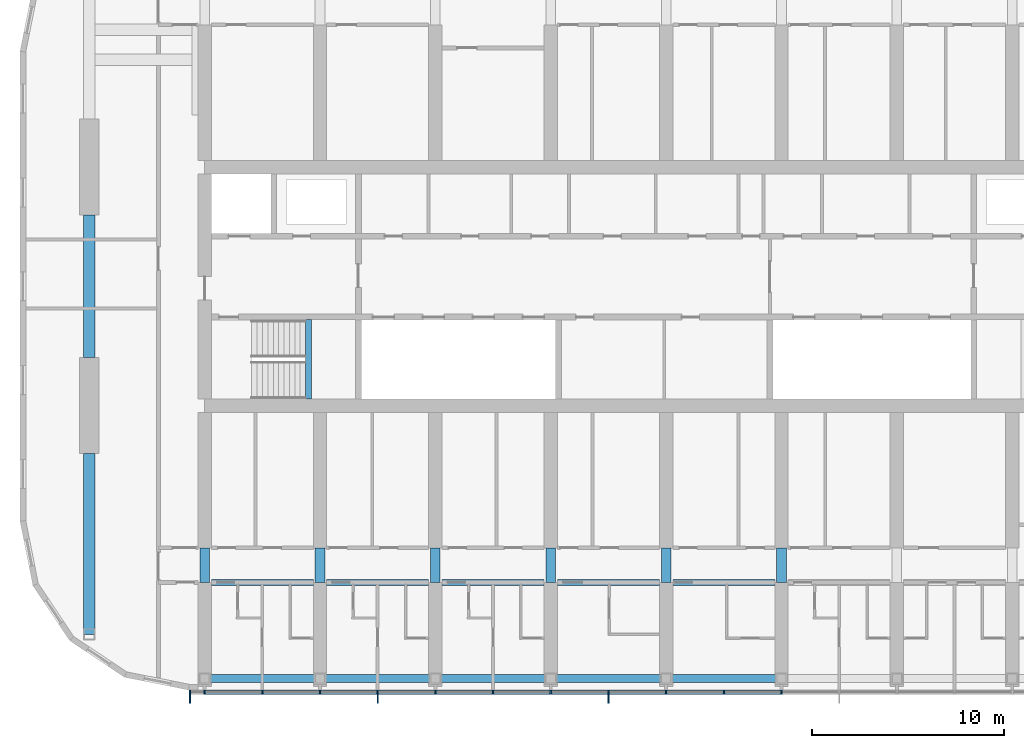
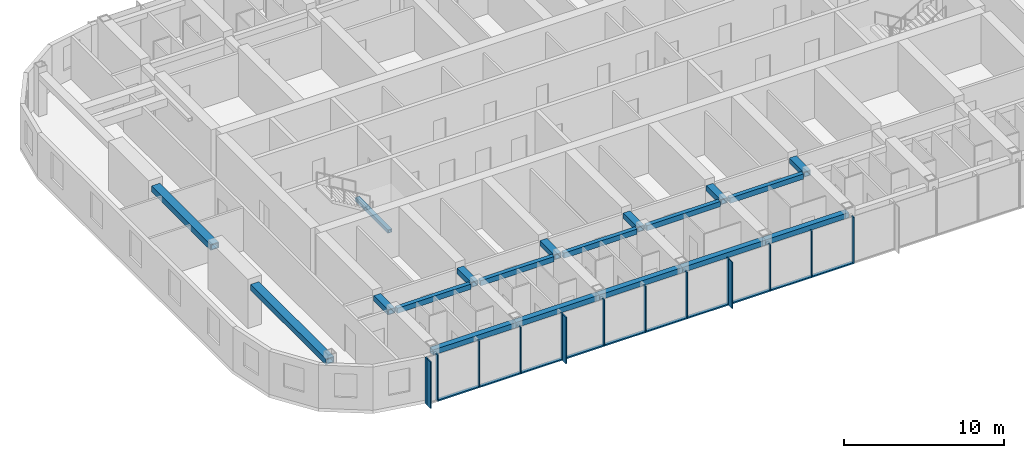
# One storey, part 2 of 24: 25 members, 19 beams, 1 element without a shape of its own.
"""IFC4 building model written with IfcOpenShell, lengths in metres."""

from ifc_helpers import new_model, si_unit, direction, frame, origin, origin_2d, place, context, subcontext, project, spatial, rectangle, hollow_rectangle, extrude, material, material_profile, profile_set, type_object, element, aggregate, save


model = new_model("IFC4")

# Units and contexts
model_context = context("Model", 3, precision=1e-05, world=origin(), true_north=direction((0.0, 1.0)))
body_context = subcontext(model_context, "Body", "Model", "MODEL_VIEW")
ifc_project = project(units=[si_unit("LENGTHUNIT", "METRE"), si_unit("AREAUNIT", "SQUARE_METRE"), si_unit("VOLUMEUNIT", "CUBIC_METRE"), si_unit("PLANEANGLEUNIT", "RADIAN"), si_unit("MASSUNIT", "GRAM", prefix="KILO")], contexts=[model_context])

# Site, building, storey
site_placement = place(None, origin())
site = spatial("IfcSite", under=ifc_project, at=site_placement, CompositionType="ELEMENT")
building_placement = place(site_placement, origin())
building = spatial("IfcBuilding", under=site, at=building_placement, Name="Orbita Commons", CompositionType="ELEMENT")
storey_placement = place(building_placement, frame((0.0, 0.0, 242.800048828125)))
storey = spatial("IfcBuildingStorey", under=building, at=storey_placement, Name="L60", CompositionType="ELEMENT", Elevation=242.800048828125)

# Curtain wall, members
ifc_material_1 = material(Name="Anodised aluminium frame, pale silver", Category="aluminium")
curtain_wall_type = type_object("IfcCurtainWallType", Name="Unitised curtain wall CW-U, full-height vision", PredefinedType="NOTDEFINED", material=ifc_material_1)
curtain_wall_placement = place(storey_placement, origin())
curtain_wall = element("IfcCurtainWall", 1, at=curtain_wall_placement, inside=storey, type_object=curtain_wall_type, Name="Curtain wall south L60", PredefinedType="NOTDEFINED")
ifc_material_2 = material(Name="Anodised aluminium, pale silver", Category="aluminium")
ifc_material_profile_1 = material_profile(ifc_material_2, rectangle(XDim=0.080078125, YDim=0.219970703125, at=origin_2d()), Name="AL 80x220")
ifc_profile_set_1 = profile_set([ifc_material_profile_1], Name="Anodised aluminium, pale silver")
member_type_1 = type_object("IfcMemberType", Name="Curtain wall mullion 80x220", PredefinedType="MULLION", material=ifc_profile_set_1)
member_1_placement = place(storey_placement, frame((17.239990234375, 10.889892578125, -0.25), z_axis=(0.0, 0.0, 1.0), x_axis=(1.0, 0.0, 0.0)))
member_1 = element("IfcMember", 2, at=member_1_placement, type_object=member_type_1, Name="Mullion 1 CW-L60-S", PredefinedType="MULLION", context=body_context, shape_type="SweptSolid", body=[
    extrude(rectangle(XDim=0.080078125, YDim=0.219970703125, at=origin_2d()), origin(), (0.0, 0.0, 1.0), 3.550048828125),
])
member_2_placement = place(storey_placement, frame((18.0, 10.889892578125, -0.25), z_axis=(0.0, 0.0, 1.0), x_axis=(1.0, 0.0, 0.0)))
member_2 = element("IfcMember", 3, at=member_2_placement, type_object=member_type_1, Name="Mullion 2 CW-L60-S", PredefinedType="MULLION", context=body_context, shape_type="SweptSolid", body=[
    extrude(rectangle(XDim=0.080078125, YDim=0.219970703125, at=origin_2d()), origin(), (0.0, 0.0, 1.0), 3.550048828125),
])
member_3_placement = place(storey_placement, frame((21.0, 10.889892578125, -0.25), z_axis=(0.0, 0.0, 1.0), x_axis=(1.0, 0.0, 0.0)))
member_3 = element("IfcMember", 4, at=member_3_placement, type_object=member_type_1, Name="Mullion 3 CW-L60-S", PredefinedType="MULLION", context=body_context, shape_type="SweptSolid", body=[
    extrude(rectangle(XDim=0.080078125, YDim=0.219970703125, at=origin_2d()), origin(), (0.0, 0.0, 1.0), 3.550048828125),
])
member_4_placement = place(storey_placement, frame((24.0, 10.889892578125, -0.25), z_axis=(0.0, 0.0, 1.0), x_axis=(1.0, 0.0, 0.0)))
member_4 = element("IfcMember", 5, at=member_4_placement, type_object=member_type_1, Name="Mullion 4 CW-L60-S", PredefinedType="MULLION", context=body_context, shape_type="SweptSolid", body=[
    extrude(rectangle(XDim=0.080078125, YDim=0.219970703125, at=origin_2d()), origin(), (0.0, 0.0, 1.0), 3.550048828125),
])
member_5_placement = place(storey_placement, frame((27.0, 10.889892578125, -0.25), z_axis=(0.0, 0.0, 1.0), x_axis=(1.0, 0.0, 0.0)))
member_5 = element("IfcMember", 6, at=member_5_placement, type_object=member_type_1, Name="Mullion 5 CW-L60-S", PredefinedType="MULLION", context=body_context, shape_type="SweptSolid", body=[
    extrude(rectangle(XDim=0.080078125, YDim=0.219970703125, at=origin_2d()), origin(), (0.0, 0.0, 1.0), 3.550048828125),
])
member_6_placement = place(storey_placement, frame((30.0, 10.889892578125, -0.25), z_axis=(0.0, 0.0, 1.0), x_axis=(1.0, 0.0, 0.0)))
member_6 = element("IfcMember", 7, at=member_6_placement, type_object=member_type_1, Name="Mullion 6 CW-L60-S", PredefinedType="MULLION", context=body_context, shape_type="SweptSolid", body=[
    extrude(rectangle(XDim=0.080078125, YDim=0.219970703125, at=origin_2d()), origin(), (0.0, 0.0, 1.0), 3.550048828125),
])
member_7_placement = place(storey_placement, frame((33.0, 10.889892578125, -0.25), z_axis=(0.0, 0.0, 1.0), x_axis=(1.0, 0.0, 0.0)))
member_7 = element("IfcMember", 8, at=member_7_placement, type_object=member_type_1, Name="Mullion 7 CW-L60-S", PredefinedType="MULLION", context=body_context, shape_type="SweptSolid", body=[
    extrude(rectangle(XDim=0.080078125, YDim=0.219970703125, at=origin_2d()), origin(), (0.0, 0.0, 1.0), 3.550048828125),
])
member_8_placement = place(storey_placement, frame((36.0, 10.889892578125, -0.25), z_axis=(0.0, 0.0, 1.0), x_axis=(1.0, 0.0, 0.0)))
member_8 = element("IfcMember", 9, at=member_8_placement, type_object=member_type_1, Name="Mullion 8 CW-L60-S", PredefinedType="MULLION", context=body_context, shape_type="SweptSolid", body=[
    extrude(rectangle(XDim=0.080078125, YDim=0.219970703125, at=origin_2d()), origin(), (0.0, 0.0, 1.0), 3.550048828125),
])
member_9_placement = place(storey_placement, frame((39.0, 10.889892578125, -0.25), z_axis=(0.0, 0.0, 1.0), x_axis=(1.0, 0.0, 0.0)))
member_9 = element("IfcMember", 10, at=member_9_placement, type_object=member_type_1, Name="Mullion 9 CW-L60-S", PredefinedType="MULLION", context=body_context, shape_type="SweptSolid", body=[
    extrude(rectangle(XDim=0.080078125, YDim=0.219970703125, at=origin_2d()), origin(), (0.0, 0.0, 1.0), 3.550048828125),
])
member_10_placement = place(storey_placement, frame((42.0, 10.889892578125, -0.25), z_axis=(0.0, 0.0, 1.0), x_axis=(1.0, 0.0, 0.0)))
member_10 = element("IfcMember", 11, at=member_10_placement, type_object=member_type_1, Name="Mullion 10 CW-L60-S", PredefinedType="MULLION", context=body_context, shape_type="SweptSolid", body=[
    extrude(rectangle(XDim=0.080078125, YDim=0.219970703125, at=origin_2d()), origin(), (0.0, 0.0, 1.0), 3.550048828125),
])
member_11_placement = place(storey_placement, frame((45.0, 10.889892578125, -0.25), z_axis=(0.0, 0.0, 1.0), x_axis=(1.0, 0.0, 0.0)))
member_11 = element("IfcMember", 12, at=member_11_placement, type_object=member_type_1, Name="Mullion 11 CW-L60-S", PredefinedType="MULLION", context=body_context, shape_type="SweptSolid", body=[
    extrude(rectangle(XDim=0.080078125, YDim=0.219970703125, at=origin_2d()), origin(), (0.0, 0.0, 1.0), 3.550048828125),
])
member_12_placement = place(storey_placement, frame((48.0, 10.889892578125, -0.25), z_axis=(0.0, 0.0, 1.0), x_axis=(1.0, 0.0, 0.0)))
member_12 = element("IfcMember", 13, at=member_12_placement, type_object=member_type_1, Name="Mullion 12 CW-L60-S", PredefinedType="MULLION", context=body_context, shape_type="SweptSolid", body=[
    extrude(rectangle(XDim=0.080078125, YDim=0.219970703125, at=origin_2d()), origin(), (0.0, 0.0, 1.0), 3.550048828125),
])
ifc_material_3 = material(Name="Anodised aluminium, pale silver", Category="aluminium")
ifc_material_profile_2 = material_profile(ifc_material_3, rectangle(XDim=0.219970703125, YDim=0.10009765625, at=origin_2d()), Name="AL 220x100")
ifc_profile_set_2 = profile_set([ifc_material_profile_2], Name="Anodised aluminium, pale silver")
member_type_2 = type_object("IfcMemberType", Name="Curtain wall stack transom 220x100", PredefinedType="USERDEFINED", material=ifc_profile_set_2)
member_13_placement = place(storey_placement, frame((18.0400390625, 10.889892578125, -0.199951171875), z_axis=(1.0, 0.0, 0.0), x_axis=(0.0, 1.0, 0.0)))
member_13 = element("IfcMember", 14, at=member_13_placement, type_object=member_type_2, Name="Transom 2.1 CW-L60-S", ObjectType="TRANSOM", PredefinedType="USERDEFINED", context=body_context, shape_type="SweptSolid", body=[
    extrude(rectangle(XDim=0.219970703125, YDim=0.10009765625, at=origin_2d()), origin(), (0.0, 0.0, 1.0), 2.919921875),
])
member_14_placement = place(storey_placement, frame((21.0400390625, 10.889892578125, -0.199951171875), z_axis=(1.0, 0.0, 0.0), x_axis=(0.0, 1.0, 0.0)))
member_14 = element("IfcMember", 15, at=member_14_placement, type_object=member_type_2, Name="Transom 3.1 CW-L60-S", ObjectType="TRANSOM", PredefinedType="USERDEFINED", context=body_context, shape_type="SweptSolid", body=[
    extrude(rectangle(XDim=0.219970703125, YDim=0.10009765625, at=origin_2d()), origin(), (0.0, 0.0, 1.0), 2.919921875),
])
member_15_placement = place(storey_placement, frame((24.0400390625, 10.889892578125, -0.199951171875), z_axis=(1.0, 0.0, 0.0), x_axis=(0.0, 1.0, 0.0)))
member_15 = element("IfcMember", 16, at=member_15_placement, type_object=member_type_2, Name="Transom 4.1 CW-L60-S", ObjectType="TRANSOM", PredefinedType="USERDEFINED", context=body_context, shape_type="SweptSolid", body=[
    extrude(rectangle(XDim=0.219970703125, YDim=0.10009765625, at=origin_2d()), origin(), (0.0, 0.0, 1.0), 2.919921875),
])
member_16_placement = place(storey_placement, frame((27.0400390625, 10.889892578125, -0.199951171875), z_axis=(1.0, 0.0, 0.0), x_axis=(0.0, 1.0, 0.0)))
member_16 = element("IfcMember", 17, at=member_16_placement, type_object=member_type_2, Name="Transom 5.1 CW-L60-S", ObjectType="TRANSOM", PredefinedType="USERDEFINED", context=body_context, shape_type="SweptSolid", body=[
    extrude(rectangle(XDim=0.219970703125, YDim=0.10009765625, at=origin_2d()), origin(), (0.0, 0.0, 1.0), 2.919921875),
])
member_17_placement = place(storey_placement, frame((30.0400390625, 10.889892578125, -0.199951171875), z_axis=(1.0, 0.0, 0.0), x_axis=(0.0, 1.0, 0.0)))
member_17 = element("IfcMember", 18, at=member_17_placement, type_object=member_type_2, Name="Transom 6.1 CW-L60-S", ObjectType="TRANSOM", PredefinedType="USERDEFINED", context=body_context, shape_type="SweptSolid", body=[
    extrude(rectangle(XDim=0.219970703125, YDim=0.10009765625, at=origin_2d()), origin(), (0.0, 0.0, 1.0), 2.919921875),
])
member_18_placement = place(storey_placement, frame((33.0400390625, 10.889892578125, -0.199951171875), z_axis=(1.0, 0.0, 0.0), x_axis=(0.0, 1.0, 0.0)))
member_18 = element("IfcMember", 19, at=member_18_placement, type_object=member_type_2, Name="Transom 7.1 CW-L60-S", ObjectType="TRANSOM", PredefinedType="USERDEFINED", context=body_context, shape_type="SweptSolid", body=[
    extrude(rectangle(XDim=0.219970703125, YDim=0.10009765625, at=origin_2d()), origin(), (0.0, 0.0, 1.0), 2.919921875),
])
member_19_placement = place(storey_placement, frame((36.0400390625, 10.889892578125, -0.199951171875), z_axis=(1.0, 0.0, 0.0), x_axis=(0.0, 1.0, 0.0)))
member_19 = element("IfcMember", 20, at=member_19_placement, type_object=member_type_2, Name="Transom 8.1 CW-L60-S", ObjectType="TRANSOM", PredefinedType="USERDEFINED", context=body_context, shape_type="SweptSolid", body=[
    extrude(rectangle(XDim=0.219970703125, YDim=0.10009765625, at=origin_2d()), origin(), (0.0, 0.0, 1.0), 2.919921875),
])
member_20_placement = place(storey_placement, frame((39.0400390625, 10.889892578125, -0.199951171875), z_axis=(1.0, 0.0, 0.0), x_axis=(0.0, 1.0, 0.0)))
member_20 = element("IfcMember", 21, at=member_20_placement, type_object=member_type_2, Name="Transom 9.1 CW-L60-S", ObjectType="TRANSOM", PredefinedType="USERDEFINED", context=body_context, shape_type="SweptSolid", body=[
    extrude(rectangle(XDim=0.219970703125, YDim=0.10009765625, at=origin_2d()), origin(), (0.0, 0.0, 1.0), 2.919921875),
])
member_21_placement = place(storey_placement, frame((42.0400390625, 10.889892578125, -0.199951171875), z_axis=(1.0, 0.0, 0.0), x_axis=(0.0, 1.0, 0.0)))
member_21 = element("IfcMember", 22, at=member_21_placement, type_object=member_type_2, Name="Transom 10.1 CW-L60-S", ObjectType="TRANSOM", PredefinedType="USERDEFINED", context=body_context, shape_type="SweptSolid", body=[
    extrude(rectangle(XDim=0.219970703125, YDim=0.10009765625, at=origin_2d()), origin(), (0.0, 0.0, 1.0), 2.919921875),
])
member_22_placement = place(storey_placement, frame((45.0400390625, 10.889892578125, -0.199951171875), z_axis=(1.0, 0.0, 0.0), x_axis=(0.0, 1.0, 0.0)))
member_22 = element("IfcMember", 23, at=member_22_placement, type_object=member_type_2, Name="Transom 11.1 CW-L60-S", ObjectType="TRANSOM", PredefinedType="USERDEFINED", context=body_context, shape_type="SweptSolid", body=[
    extrude(rectangle(XDim=0.219970703125, YDim=0.10009765625, at=origin_2d()), origin(), (0.0, 0.0, 1.0), 2.919921875),
])

# Beams
ifc_material_4 = material(Name="Steel ASTM A572 Gr 50 welded plate", Category="steel")
ifc_material_profile_3 = material_profile(ifc_material_4, hollow_rectangle(XDim=0.300048828125, YDim=0.25, WallThickness=0.02490234375, at=origin_2d()), Name="BOX 250x300x25")
ifc_profile_set_3 = profile_set([ifc_material_profile_3], Name="Steel ASTM A572 Gr 50 welded plate")
beam_type_1 = type_object("IfcBeamType", Name="Stair landing beam steel BOX 250x300x25", PredefinedType="BEAM", material=ifc_profile_set_3)
beam_1_placement = place(storey_placement, frame((23.39990234375, 26.135009765625, 1.550048828125), z_axis=(0.0, 1.0, 0.0), x_axis=(-1.0, 0.0, 0.0)))
element("IfcBeam", 24, at=beam_1_placement, inside=storey, type_object=beam_type_1, Name="Stair S1 landing beam L60 1", PredefinedType="BEAM", context=body_context, shape_type="SweptSolid", body=[
    extrude(hollow_rectangle(XDim=0.300048828125, YDim=0.25, WallThickness=0.02490234375, at=origin_2d()), origin(), (0.0, 0.0, 1.0), 4.1298828125),
])
ifc_material_5 = material(Name="Steel ASTM A572 Gr 50 welded plate", Category="steel")
ifc_material_profile_4 = material_profile(ifc_material_5, hollow_rectangle(XDim=0.300048828125, YDim=0.39990234375, WallThickness=0.0400390625, at=origin_2d()), Name="BOX 400x300x40")
ifc_profile_set_4 = profile_set([ifc_material_profile_4], Name="Steel ASTM A572 Gr 50 welded plate")
beam_type_2 = type_object("IfcBeamType", Name="Steel corridor link BOX 400x300x40", PredefinedType="BEAM", material=ifc_profile_set_4)
for number, where, z_axis, x_axis, name in (
    (25, (18.35009765625, 16.60009765625, 3.099853515625), (1.0, 0.0, 0.0), (0.0, 1.0, 0.0), "Corridor beam SA 4-5 L60"),
    (26, (24.35009765625, 16.60009765625, 3.099853515625), (1.0, 0.0, 0.0), (0.0, 1.0, 0.0), "Corridor beam SA 5-6 L60"),
    (27, (30.35009765625, 16.60009765625, 3.099853515625), (1.0, 0.0, 0.0), (0.0, 1.0, 0.0), "Corridor beam SA 6-7 L60"),
    (28, (36.35009765625, 16.60009765625, 3.099853515625), (1.0, 0.0, 0.0), (0.0, 1.0, 0.0), "Corridor beam SA 7-8 L60"),
    (29, (42.35009765625, 16.60009765625, 3.099853515625), (1.0, 0.0, 0.0), (0.0, 1.0, 0.0), "Corridor beam SA 8-9 L60"),
):
    element("IfcBeam", number, at=place(storey_placement, frame(where, z_axis=z_axis, x_axis=x_axis)), inside=storey, type_object=beam_type_2, Name=name, PredefinedType="BEAM", context=body_context, shape_type="SweptSolid", body=[
        extrude(hollow_rectangle(XDim=0.300048828125, YDim=0.39990234375, WallThickness=0.0400390625, at=origin_2d()), origin(), (0.0, 0.0, 1.0), 5.2998046875),
    ])
ifc_material_6 = material(Name="Steel ASTM A572 Gr 50 welded plate", Category="steel")
ifc_material_profile_5 = material_profile(ifc_material_6, hollow_rectangle(XDim=0.5, YDim=0.39990234375, WallThickness=0.050048828125, at=origin_2d()), Name="BOX 400x500x50")
ifc_profile_set_5 = profile_set([ifc_material_profile_5], Name="Steel ASTM A572 Gr 50 welded plate")
beam_type_3 = type_object("IfcBeamType", Name="Steel coupling link BOX 400x500x50", PredefinedType="LINTEL", material=ifc_profile_set_5)
for number, where, z_axis, x_axis, name in (
    (30, (18.0, 16.60009765625, 3.099853515625), (0.0, 1.0, 0.0), (-1.0, 0.0, 0.0), "Coupling beam 4 south L60"),
    (31, (24.0, 16.60009765625, 3.099853515625), (0.0, 1.0, 0.0), (-1.0, 0.0, 0.0), "Coupling beam 5 south L60"),
    (32, (30.0, 16.60009765625, 3.099853515625), (0.0, 1.0, 0.0), (-1.0, 0.0, 0.0), "Coupling beam 6 south L60"),
    (33, (36.0, 16.60009765625, 3.099853515625), (0.0, 1.0, 0.0), (-1.0, 0.0, 0.0), "Coupling beam 7 south L60"),
    (34, (42.0, 16.60009765625, 3.099853515625), (0.0, 1.0, 0.0), (-1.0, 0.0, 0.0), "Coupling beam 8 south L60"),
    (35, (48.0, 16.60009765625, 3.099853515625), (0.0, 1.0, 0.0), (-1.0, 0.0, 0.0), "Coupling beam 9 south L60"),
):
    element("IfcBeam", number, at=place(storey_placement, frame(where, z_axis=z_axis, x_axis=x_axis)), inside=storey, type_object=beam_type_3, Name=name, PredefinedType="LINTEL", context=body_context, shape_type="SweptSolid", body=[
        extrude(hollow_rectangle(XDim=0.5, YDim=0.39990234375, WallThickness=0.050048828125, at=origin_2d()), origin(), (0.0, 0.0, 1.0), 1.7998046875),
    ])
ifc_material_7 = material(Name="Steel ASTM A572 Gr 50 welded plate", Category="steel")
ifc_material_profile_6 = material_profile(ifc_material_7, hollow_rectangle(XDim=0.60009765625, YDim=0.449951171875, WallThickness=0.06005859375, at=origin_2d()), Name="BOX 450x600x60")
ifc_profile_set_6 = profile_set([ifc_material_profile_6], Name="Steel ASTM A572 Gr 50 welded plate")
beam_type_4 = type_object("IfcBeamType", Name="Steel end frame link BOX 450x600x60", PredefinedType="BEAM", material=ifc_profile_set_6)
beam_2_placement = place(storey_placement, frame((12.0, 13.89990234375, 3.074951171875), z_axis=(0.0, 1.0, 0.0), x_axis=(-1.0, 0.0, 0.0)))
element("IfcBeam", 36, at=beam_2_placement, inside=storey, type_object=beam_type_4, Name="End frame beam 3 B-C L60", PredefinedType="BEAM", context=body_context, shape_type="SweptSolid", body=[
    extrude(hollow_rectangle(XDim=0.60009765625, YDim=0.449951171875, WallThickness=0.06005859375, at=origin_2d()), origin(), (0.0, 0.0, 1.0), 9.400146484375),
])
beam_3_placement = place(storey_placement, frame((12.0, 28.300048828125, 3.074951171875), z_axis=(0.0, 1.0, 0.0), x_axis=(-1.0, 0.0, 0.0)))
element("IfcBeam", 37, at=beam_3_placement, inside=storey, type_object=beam_type_4, Name="End frame beam 3 C-D L60", PredefinedType="BEAM", context=body_context, shape_type="SweptSolid", body=[
    extrude(hollow_rectangle(XDim=0.60009765625, YDim=0.449951171875, WallThickness=0.06005859375, at=origin_2d()), origin(), (0.0, 0.0, 1.0), 7.39990234375),
])
ifc_material_8 = material(Name="Steel ASTM A572 Gr 50 welded plate", Category="steel")
ifc_material_profile_7 = material_profile(ifc_material_8, hollow_rectangle(XDim=0.39990234375, YDim=0.39990234375, WallThickness=0.0400390625, at=origin_2d()), Name="BOX 400x400x40")
ifc_profile_set_7 = profile_set([ifc_material_profile_7], Name="Steel ASTM A572 Gr 50 welded plate")
beam_type_5 = type_object("IfcBeamType", Name="Steel spandrel BOX 400x400x40", PredefinedType="SPANDREL", material=ifc_profile_set_7)
for number, where, z_axis, x_axis, name in (
    (38, (18.0, 11.60009765625, 3.099853515625), (1.0, 0.0, 0.0), (0.0, 1.0, 0.0), "Spandrel beam B 4-5 L60"),
    (39, (24.0, 11.60009765625, 3.099853515625), (1.0, 0.0, 0.0), (0.0, 1.0, 0.0), "Spandrel beam B 5-6 L60"),
    (40, (30.0, 11.60009765625, 3.099853515625), (1.0, 0.0, 0.0), (0.0, 1.0, 0.0), "Spandrel beam B 6-7 L60"),
    (41, (36.0, 11.60009765625, 3.099853515625), (1.0, 0.0, 0.0), (0.0, 1.0, 0.0), "Spandrel beam B 7-8 L60"),
    (42, (42.0, 11.60009765625, 3.099853515625), (1.0, 0.0, 0.0), (0.0, 1.0, 0.0), "Spandrel beam B 8-9 L60"),
):
    element("IfcBeam", number, at=place(storey_placement, frame(where, z_axis=z_axis, x_axis=x_axis)), inside=storey, type_object=beam_type_5, Name=name, PredefinedType="SPANDREL", context=body_context, shape_type="SweptSolid", body=[
        extrude(hollow_rectangle(XDim=0.39990234375, YDim=0.39990234375, WallThickness=0.0400390625, at=origin_2d()), origin(), (0.0, 0.0, 1.0), 6.0),
    ])

# Member
ifc_material_9 = material(Name="Anodised aluminium, pale silver", Category="aluminium")
ifc_material_profile_8 = material_profile(ifc_material_9, rectangle(XDim=0.06005859375, YDim=0.449951171875, at=origin_2d()), Name="FIN 60x450")
ifc_profile_set_8 = profile_set([ifc_material_profile_8], Name="Anodised aluminium, pale silver")
member_type_3 = type_object("IfcMemberType", Name="Vertical fin 60x450 pale aluminium", PredefinedType="USERDEFINED", material=ifc_profile_set_8)
member_23_placement = place(storey_placement, frame((17.239990234375, 10.554931640625, -0.25), z_axis=(0.0, 0.0, 1.0), x_axis=(1.0, 0.0, 0.0)))
member_23 = element("IfcMember", 43, at=member_23_placement, type_object=member_type_3, Name="Fin 1 CW-L60-S", ObjectType="FIN", PredefinedType="USERDEFINED", context=body_context, shape_type="SweptSolid", body=[
    extrude(rectangle(XDim=0.06005859375, YDim=0.449951171875, at=origin_2d()), origin(), (0.0, 0.0, 1.0), 3.550048828125),
])

member_24_placement = place(storey_placement, frame((27.0, 10.554931640625, -0.25), z_axis=(0.0, 0.0, 1.0), x_axis=(1.0, 0.0, 0.0)))
member_24 = element("IfcMember", 44, at=member_24_placement, type_object=member_type_3, Name="Fin 5 CW-L60-S", ObjectType="FIN", PredefinedType="USERDEFINED", context=body_context, shape_type="SweptSolid", body=[
    extrude(rectangle(XDim=0.06005859375, YDim=0.449951171875, at=origin_2d()), origin(), (0.0, 0.0, 1.0), 3.550048828125),
])

member_25_placement = place(storey_placement, frame((39.0, 10.554931640625, -0.25), z_axis=(0.0, 0.0, 1.0), x_axis=(1.0, 0.0, 0.0)))
member_25 = element("IfcMember", 45, at=member_25_placement, type_object=member_type_3, Name="Fin 9 CW-L60-S", ObjectType="FIN", PredefinedType="USERDEFINED", context=body_context, shape_type="SweptSolid", body=[
    extrude(rectangle(XDim=0.06005859375, YDim=0.449951171875, at=origin_2d()), origin(), (0.0, 0.0, 1.0), 3.550048828125),
])

aggregate(curtain_wall, [member_1, member_23, member_2, member_3, member_4, member_5, member_24, member_6, member_7, member_8, member_9, member_25, member_10, member_11, member_12, member_13, member_14, member_15, member_16, member_17, member_18, member_19, member_20, member_21, member_22])

save(model, "model.ifc")
